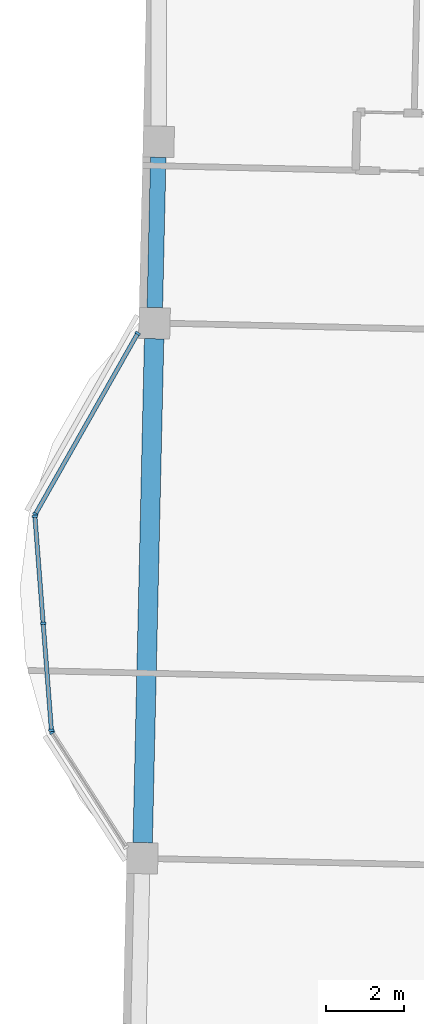
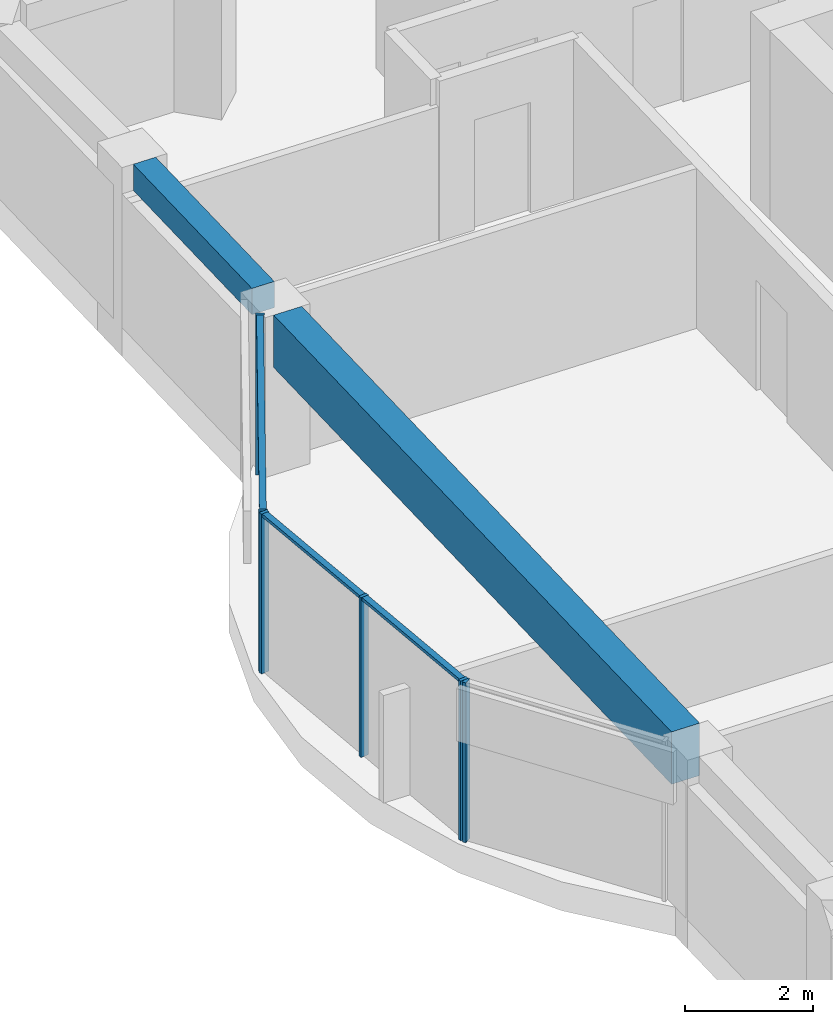
# One storey, part 4 of 12: 9 members, 2 beams, 3 elements without a shape of their own.
"""IFC4 building model written with IfcOpenShell, lengths in metres."""

from ifc_helpers import new_model, si_unit, direction, frame, origin, origin_2d, place, context, subcontext, project, spatial, rectangle, extrude, material, material_profile, profile_set, type_object, element, aggregate, save


model = new_model("IFC4")

# Units and contexts
model_context = context("Model", 3, precision=1e-05, world=origin(), true_north=direction((0.0, 1.0)))
body_context = subcontext(model_context, "Body", "Model", "MODEL_VIEW")
ifc_project = project(units=[si_unit("LENGTHUNIT", "METRE"), si_unit("AREAUNIT", "SQUARE_METRE"), si_unit("VOLUMEUNIT", "CUBIC_METRE"), si_unit("PLANEANGLEUNIT", "RADIAN"), si_unit("MASSUNIT", "GRAM", prefix="KILO")], contexts=[model_context])

# Site, building, storey
site_placement = place(None, origin())
site = spatial("IfcSite", under=ifc_project, at=site_placement, CompositionType="ELEMENT")
building_placement = place(site_placement, origin())
building = spatial("IfcBuilding", under=site, at=building_placement, Name="Mangrove Gate Tower", CompositionType="ELEMENT")
storey_placement = place(building_placement, frame((0.0, 0.0, 342.5)))
storey = spatial("IfcBuildingStorey", under=building, at=storey_placement, Name="L87", CompositionType="ELEMENT", Elevation=342.5)

# Curtain wall, members
ifc_material_1 = material(Name="Aluminium and glass curtain wall", Category="aluminium")
curtain_wall_type = type_object("IfcCurtainWallType", Name="Crown garden glazing wall", PredefinedType="NOTDEFINED", material=ifc_material_1)
curtain_wall_1_placement = place(storey_placement, origin())
curtain_wall_1 = element("IfcCurtainWall", 1, at=curtain_wall_1_placement, inside=storey, type_object=curtain_wall_type, Name="Crown garden glazing W9f1", PredefinedType="NOTDEFINED")
ifc_material_2 = material(Name="Aluminium alloy 6063-T6", Category="aluminium")
ifc_material_profile_1 = material_profile(ifc_material_2, rectangle(XDim=0.06005859375, YDim=0.139892578125, at=origin_2d()))
ifc_profile_set_1 = profile_set([ifc_material_profile_1], Name="Aluminium alloy 6063-T6")
member_type_1 = type_object("IfcMemberType", Name="Crown garden glazing mullion 60x140", PredefinedType="MULLION", material=ifc_profile_set_1)
member_1_placement = place(storey_placement, frame((-24.768310546875, 8.78125, 0.0), z_axis=(0.0, 0.0, 1.0), x_axis=(-0.492583151863, -0.87026538395, 0.0)))
member_1 = element("IfcMember", 2, at=member_1_placement, type_object=member_type_1, Name="CWC mullion 1", PredefinedType="MULLION", context=body_context, shape_type="SweptSolid", body=[
    extrude(rectangle(XDim=0.06005859375, YDim=0.139892578125, at=origin_2d()), origin(), (0.0, 0.0, 1.0), 3.050048828125),
])
member_2_placement = place(storey_placement, frame((-27.397705078125, 4.1357421875, 0.0), z_axis=(0.0, 0.0, 1.0), x_axis=(-0.492583151863, -0.87026538395, 0.0)))
member_2 = element("IfcMember", 3, at=member_2_placement, type_object=member_type_1, Name="CWC mullion 2", PredefinedType="MULLION", context=body_context, shape_type="SweptSolid", body=[
    extrude(rectangle(XDim=0.06005859375, YDim=0.139892578125, at=origin_2d()), origin(), (0.0, 0.0, 1.0), 3.050048828125),
])

curtain_wall_2_placement = place(storey_placement, origin())
curtain_wall_2 = element("IfcCurtainWall", 4, at=curtain_wall_2_placement, inside=storey, type_object=curtain_wall_type, Name="Crown garden glazing W9f2", PredefinedType="NOTDEFINED")
member_3_placement = place(storey_placement, frame((-27.41015625, 4.07958984375, 0.0), z_axis=(0.0, 0.0, 1.0), x_axis=(0.077023348229, -0.997029289353, 0.0)))
member_3 = element("IfcMember", 5, at=member_3_placement, type_object=member_type_1, Name="CWC mullion 1", PredefinedType="MULLION", context=body_context, shape_type="SweptSolid", body=[
    extrude(rectangle(XDim=0.06005859375, YDim=0.139892578125, at=origin_2d()), origin(), (0.0, 0.0, 1.0), 3.050048828125),
])
member_4_placement = place(storey_placement, frame((-27.197998046875, 1.3310546875, 0.0), z_axis=(0.0, 0.0, 1.0), x_axis=(0.077023348229, -0.997029289353, 0.0)))
member_4 = element("IfcMember", 6, at=member_4_placement, type_object=member_type_1, Name="CWC mullion 2", PredefinedType="MULLION", context=body_context, shape_type="SweptSolid", body=[
    extrude(rectangle(XDim=0.06005859375, YDim=0.139892578125, at=origin_2d()), origin(), (0.0, 0.0, 1.0), 3.050048828125),
])
member_5_placement = place(storey_placement, frame((-26.985595703125, -1.41748046875, 0.0), z_axis=(0.0, 0.0, 1.0), x_axis=(0.077023348229, -0.997029289353, 0.0)))
member_5 = element("IfcMember", 7, at=member_5_placement, type_object=member_type_1, Name="CWC mullion 3", PredefinedType="MULLION", context=body_context, shape_type="SweptSolid", body=[
    extrude(rectangle(XDim=0.06005859375, YDim=0.139892578125, at=origin_2d()), origin(), (0.0, 0.0, 1.0), 3.050048828125),
])

# Curtain wall, member
curtain_wall_3_placement = place(storey_placement, origin())
curtain_wall_3 = element("IfcCurtainWall", 8, at=curtain_wall_3_placement, inside=storey, type_object=curtain_wall_type, Name="Crown garden glazing W9f3", PredefinedType="NOTDEFINED")
member_6_placement = place(storey_placement, frame((-26.967041015625, -1.472412109375, 0.0), z_axis=(0.0, 0.0, 1.0), x_axis=(0.540509640617, -0.841337820617, 0.0)))
member_6 = element("IfcMember", 9, at=member_6_placement, type_object=member_type_1, Name="CWC mullion 1", PredefinedType="MULLION", context=body_context, shape_type="SweptSolid", body=[
    extrude(rectangle(XDim=0.06005859375, YDim=0.139892578125, at=origin_2d()), origin(), (0.0, 0.0, 1.0), 3.050048828125),
])
aggregate(curtain_wall_3, [member_6])

# Member
ifc_material_3 = material(Name="Aluminium alloy 6063-T6", Category="aluminium")
ifc_material_profile_2 = material_profile(ifc_material_3, rectangle(XDim=0.06005859375, YDim=0.110107421875, at=origin_2d()))
ifc_profile_set_2 = profile_set([ifc_material_profile_2], Name="Aluminium alloy 6063-T6")
member_type_2 = type_object("IfcMemberType", Name="Crown garden glazing transom 60x110", PredefinedType="USERDEFINED", material=ifc_profile_set_2)
member_7_placement = place(storey_placement, frame((-24.783203125, 8.755126953125, 3.02001953125), z_axis=(-0.49258301719, -0.870265460176, 0.0), x_axis=(0.0, 0.0, 1.0)))
member_7 = element("IfcMember", 10, at=member_7_placement, type_object=member_type_2, Name="CWC transom 1.2", ObjectType="TRANSOM", PredefinedType="USERDEFINED", context=body_context, shape_type="SweptSolid", body=[
    extrude(rectangle(XDim=0.06005859375, YDim=0.110107421875, at=origin_2d()), origin(), (0.0, 0.0, 1.0), 5.278076171875),
])

aggregate(curtain_wall_1, [member_1, member_2, member_7])

member_8_placement = place(storey_placement, frame((-27.407958984375, 4.0498046875, 3.02001953125), z_axis=(0.077042645639, -0.997027798385, 0.0), x_axis=(0.0, 0.0, 1.0)))
member_8 = element("IfcMember", 11, at=member_8_placement, type_object=member_type_2, Name="CWC transom 1.2", ObjectType="TRANSOM", PredefinedType="USERDEFINED", context=body_context, shape_type="SweptSolid", body=[
    extrude(rectangle(XDim=0.06005859375, YDim=0.110107421875, at=origin_2d()), origin(), (0.0, 0.0, 1.0), 2.69677734375),
])

member_9_placement = place(storey_placement, frame((-27.195556640625, 1.30126953125, 3.02001953125), z_axis=(0.077042645639, -0.997027798385, 0.0), x_axis=(0.0, 0.0, 1.0)))
member_9 = element("IfcMember", 12, at=member_9_placement, type_object=member_type_2, Name="CWC transom 2.2", ObjectType="TRANSOM", PredefinedType="USERDEFINED", context=body_context, shape_type="SweptSolid", body=[
    extrude(rectangle(XDim=0.06005859375, YDim=0.110107421875, at=origin_2d()), origin(), (0.0, 0.0, 1.0), 2.69677734375),
])

aggregate(curtain_wall_2, [member_3, member_4, member_5, member_8, member_9])

# Beams
ifc_material_4 = material(Name="Concrete C50/60", Category="concrete")
ifc_material_profile_3 = material_profile(ifc_material_4, rectangle(XDim=0.39990234375, YDim=0.5, at=origin_2d()))
ifc_profile_set_3 = profile_set([ifc_material_profile_3], Name="Concrete C50/60")
beam_type_1 = type_object("IfcBeamType", Name="Edge beam RC 400x500 C50/60", PredefinedType="BEAM", material=ifc_profile_set_3)
beam_1_placement = place(storey_placement, frame((-24.2412109375, 13.303955078125, 2.800048828125), z_axis=(-0.022757304258, -0.999741019016, 0.0), x_axis=(0.999741019016, -0.022757304258, 0.0)))
element("IfcBeam", 13, at=beam_1_placement, inside=storey, type_object=beam_type_1, Name="Edge beam L87 28", PredefinedType="BEAM", context=body_context, shape_type="SweptSolid", body=[
    extrude(rectangle(XDim=0.39990234375, YDim=0.5, at=origin_2d()), origin(), (0.0, 0.0, 1.0), 3.862060546875),
])
ifc_material_5 = material(Name="Concrete C50/60", Category="concrete")
ifc_material_profile_4 = material_profile(ifc_material_5, rectangle(XDim=0.5, YDim=1.0, at=origin_2d()))
ifc_profile_set_4 = profile_set([ifc_material_profile_4], Name="Concrete C50/60")
beam_type_2 = type_object("IfcBeamType", Name="Edge beam RC 500x1000 C50/60", PredefinedType="BEAM", material=ifc_profile_set_4)
beam_2_placement = place(storey_placement, frame((-24.34716796875, 8.64306640625, 2.550048828125), z_axis=(-0.022697424684, -0.999742380272, 0.0), x_axis=(0.999742380272, -0.022697424684, 0.0)))
element("IfcBeam", 14, at=beam_2_placement, inside=storey, type_object=beam_type_2, Name="Edge beam L87 29", PredefinedType="BEAM", context=body_context, shape_type="SweptSolid", body=[
    extrude(rectangle(XDim=0.5, YDim=1.0, at=origin_2d()), origin(), (0.0, 0.0, 1.0), 12.95068359375),
])

save(model, "model.ifc")
